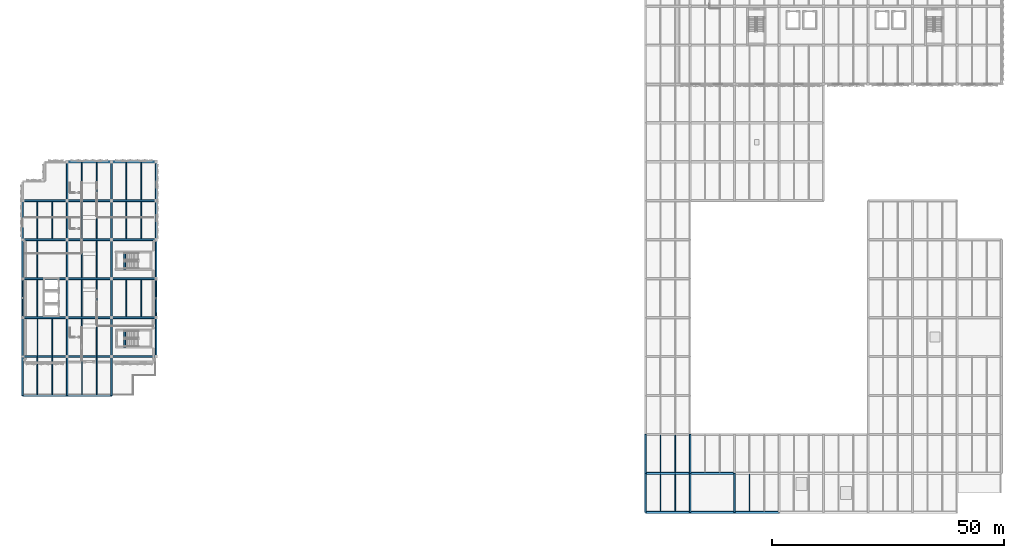
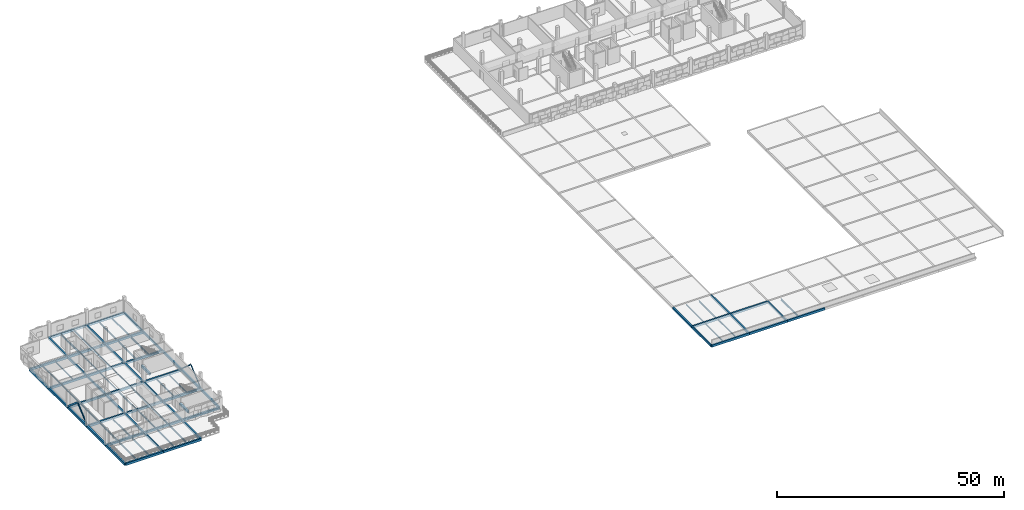
# One storey, part 3 of 24: 84 beams, 4 members.
"""IFC4 building model written with IfcOpenShell, lengths in metres."""

from ifc_helpers import new_model, si_unit, direction, frame, origin, origin_2d, place, context, subcontext, project, spatial, rectangle, hollow_rectangle, i_section, extrude, material, material_profile, profile_set, type_object, element, save


model = new_model("IFC4")

# Units and contexts
model_context = context("Model", 3, precision=1e-05, world=origin(), true_north=direction((0.0, 1.0)))
body_context = subcontext(model_context, "Body", "Model", "MODEL_VIEW")
ifc_project = project(units=[si_unit("LENGTHUNIT", "METRE"), si_unit("AREAUNIT", "SQUARE_METRE"), si_unit("VOLUMEUNIT", "CUBIC_METRE"), si_unit("PLANEANGLEUNIT", "RADIAN"), si_unit("MASSUNIT", "GRAM", prefix="KILO")], contexts=[model_context])

# Site, building, storey
site_placement = place(None, origin())
site = spatial("IfcSite", under=ifc_project, at=site_placement, CompositionType="ELEMENT")
building_placement = place(site_placement, origin())
building = spatial("IfcBuilding", under=site, at=building_placement, Name="Oolite Switchyard Hospital", CompositionType="ELEMENT")
storey_placement = place(building_placement, frame((0.0, 0.0, 22.0)))
storey = spatial("IfcBuildingStorey", under=building, at=storey_placement, Name="L05", CompositionType="ELEMENT", Elevation=22.0)

# Beams
ifc_material_1 = material(Name="Concrete C40/50", Category="concrete")
ifc_material_profile_1 = material_profile(ifc_material_1, rectangle(XDim=0.35009765625, YDim=0.550048828125, at=origin_2d()), Name="RCB350X550")
ifc_profile_set_1 = profile_set([ifc_material_profile_1], Name="Concrete C40/50")
beam_type_1 = type_object("IfcBeamType", Name="BM-RC350X550", PredefinedType="BEAM", material=ifc_profile_set_1)
for number, where, z_axis, x_axis, name in (
    (1, (9.60009765625, 33.60009765625, -0.27490234375), (0.0, 1.0, 0.0), (-1.0, 0.0, 0.0), "L05 Y-Girder 3451"),
    (2, (9.60009765625, 42.0, -0.27490234375), (0.0, 1.0, 0.0), (-1.0, 0.0, 0.0), "L05 Y-Girder 3452"),
):
    element("IfcBeam", number, at=place(storey_placement, frame(where, z_axis=z_axis, x_axis=x_axis)), inside=storey, type_object=beam_type_1, Name=name, PredefinedType="BEAM", context=body_context, shape_type="SweptSolid", body=[
        extrude(rectangle(XDim=0.35009765625, YDim=0.550048828125, at=origin_2d()), origin(), (0.0, 0.0, 1.0), 8.39990234375),
    ])
beam_1_placement = place(storey_placement, frame((9.60009765625, 50.39990234375, -0.27490234375), z_axis=(0.0, 1.0, 0.0), x_axis=(-1.0, 0.0, 0.0)))
element("IfcBeam", 3, at=beam_1_placement, inside=storey, type_object=beam_type_1, Name="L05 Y-Girder 3453", PredefinedType="BEAM", context=body_context, shape_type="SweptSolid", body=[
    extrude(rectangle(XDim=0.35009765625, YDim=0.550048828125, at=origin_2d()), origin(), (0.0, 0.0, 1.0), 8.400146484375),
])
beam_2_placement = place(storey_placement, frame((9.60009765625, 58.800048828125, -0.27490234375), z_axis=(0.0, 1.0, 0.0), x_axis=(-1.0, 0.0, 0.0)))
element("IfcBeam", 4, at=beam_2_placement, inside=storey, type_object=beam_type_1, Name="L05 Y-Girder 3454", PredefinedType="BEAM", context=body_context, shape_type="SweptSolid", body=[
    extrude(rectangle(XDim=0.35009765625, YDim=0.550048828125, at=origin_2d()), origin(), (0.0, 0.0, 1.0), 8.39990234375),
])
beam_3_placement = place(storey_placement, frame((9.60009765625, 67.199951171875, -0.27490234375), z_axis=(0.0, 1.0, 0.0), x_axis=(-1.0, 0.0, 0.0)))
element("IfcBeam", 5, at=beam_3_placement, inside=storey, type_object=beam_type_1, Name="L05 Y-Girder 3455", PredefinedType="BEAM", context=body_context, shape_type="SweptSolid", body=[
    extrude(rectangle(XDim=0.35009765625, YDim=0.550048828125, at=origin_2d()), origin(), (0.0, 0.0, 1.0), 8.400146484375),
])
for number, where, z_axis, x_axis, name in (
    (6, (9.60009765625, 75.60009765625, -0.27490234375), (0.0, 1.0, 0.0), (-1.0, 0.0, 0.0), "L05 Y-Girder 3456"),
    (7, (19.199951171875, 33.60009765625, -0.27490234375), (0.0, 1.0, 0.0), (-1.0, 0.0, 0.0), "L05 Y-Girder 3457"),
    (8, (19.199951171875, 42.0, -0.27490234375), (0.0, 1.0, 0.0), (-1.0, 0.0, 0.0), "L05 Y-Girder 3458"),
):
    element("IfcBeam", number, at=place(storey_placement, frame(where, z_axis=z_axis, x_axis=x_axis)), inside=storey, type_object=beam_type_1, Name=name, PredefinedType="BEAM", context=body_context, shape_type="SweptSolid", body=[
        extrude(rectangle(XDim=0.35009765625, YDim=0.550048828125, at=origin_2d()), origin(), (0.0, 0.0, 1.0), 8.39990234375),
    ])
beam_4_placement = place(storey_placement, frame((19.199951171875, 50.39990234375, -0.27490234375), z_axis=(0.0, 1.0, 0.0), x_axis=(-1.0, 0.0, 0.0)))
element("IfcBeam", 9, at=beam_4_placement, inside=storey, type_object=beam_type_1, Name="L05 Y-Girder 3459", PredefinedType="BEAM", context=body_context, shape_type="SweptSolid", body=[
    extrude(rectangle(XDim=0.35009765625, YDim=0.550048828125, at=origin_2d()), origin(), (0.0, 0.0, 1.0), 8.400146484375),
])
beam_5_placement = place(storey_placement, frame((19.199951171875, 58.800048828125, -0.27490234375), z_axis=(0.0, 1.0, 0.0), x_axis=(-1.0, 0.0, 0.0)))
element("IfcBeam", 10, at=beam_5_placement, inside=storey, type_object=beam_type_1, Name="L05 Y-Girder 3460", PredefinedType="BEAM", context=body_context, shape_type="SweptSolid", body=[
    extrude(rectangle(XDim=0.35009765625, YDim=0.550048828125, at=origin_2d()), origin(), (0.0, 0.0, 1.0), 8.39990234375),
])
beam_6_placement = place(storey_placement, frame((19.199951171875, 67.199951171875, -0.27490234375), z_axis=(0.0, 1.0, 0.0), x_axis=(-1.0, 0.0, 0.0)))
element("IfcBeam", 11, at=beam_6_placement, inside=storey, type_object=beam_type_1, Name="L05 Y-Girder 3461", PredefinedType="BEAM", context=body_context, shape_type="SweptSolid", body=[
    extrude(rectangle(XDim=0.35009765625, YDim=0.550048828125, at=origin_2d()), origin(), (0.0, 0.0, 1.0), 8.400146484375),
])
for number, where, z_axis, x_axis, name in (
    (12, (19.199951171875, 75.60009765625, -0.27490234375), (0.0, 1.0, 0.0), (-1.0, 0.0, 0.0), "L05 Y-Girder 3462"),
    (13, (28.800048828125, 42.0, -0.27490234375), (0.0, 1.0, 0.0), (-1.0, 0.0, 0.0), "L05 Y-Girder 3463"),
):
    element("IfcBeam", number, at=place(storey_placement, frame(where, z_axis=z_axis, x_axis=x_axis)), inside=storey, type_object=beam_type_1, Name=name, PredefinedType="BEAM", context=body_context, shape_type="SweptSolid", body=[
        extrude(rectangle(XDim=0.35009765625, YDim=0.550048828125, at=origin_2d()), origin(), (0.0, 0.0, 1.0), 8.39990234375),
    ])
beam_7_placement = place(storey_placement, frame((28.800048828125, 50.39990234375, -0.27490234375), z_axis=(0.0, 1.0, 0.0), x_axis=(-1.0, 0.0, 0.0)))
element("IfcBeam", 14, at=beam_7_placement, inside=storey, type_object=beam_type_1, Name="L05 Y-Girder 3464", PredefinedType="BEAM", context=body_context, shape_type="SweptSolid", body=[
    extrude(rectangle(XDim=0.35009765625, YDim=0.550048828125, at=origin_2d()), origin(), (0.0, 0.0, 1.0), 8.400146484375),
])
beam_8_placement = place(storey_placement, frame((28.800048828125, 58.800048828125, -0.27490234375), z_axis=(0.0, 1.0, 0.0), x_axis=(-1.0, 0.0, 0.0)))
element("IfcBeam", 15, at=beam_8_placement, inside=storey, type_object=beam_type_1, Name="L05 Y-Girder 3465", PredefinedType="BEAM", context=body_context, shape_type="SweptSolid", body=[
    extrude(rectangle(XDim=0.35009765625, YDim=0.550048828125, at=origin_2d()), origin(), (0.0, 0.0, 1.0), 8.39990234375),
])
beam_9_placement = place(storey_placement, frame((28.800048828125, 67.199951171875, -0.27490234375), z_axis=(0.0, 1.0, 0.0), x_axis=(-1.0, 0.0, 0.0)))
element("IfcBeam", 16, at=beam_9_placement, inside=storey, type_object=beam_type_1, Name="L05 Y-Girder 3466", PredefinedType="BEAM", context=body_context, shape_type="SweptSolid", body=[
    extrude(rectangle(XDim=0.35009765625, YDim=0.550048828125, at=origin_2d()), origin(), (0.0, 0.0, 1.0), 8.400146484375),
])
beam_10_placement = place(storey_placement, frame((28.800048828125, 75.60009765625, -0.27490234375), z_axis=(0.0, 1.0, 0.0), x_axis=(-1.0, 0.0, 0.0)))
element("IfcBeam", 17, at=beam_10_placement, inside=storey, type_object=beam_type_1, Name="L05 Y-Girder 3467", PredefinedType="BEAM", context=body_context, shape_type="SweptSolid", body=[
    extrude(rectangle(XDim=0.35009765625, YDim=0.550048828125, at=origin_2d()), origin(), (0.0, 0.0, 1.0), 8.39990234375),
])
beam_11_placement = place(storey_placement, frame((134.39990234375, 8.39990234375, -0.27490234375), z_axis=(0.0, 1.0, 0.0), x_axis=(-1.0, 0.0, 0.0)))
element("IfcBeam", 18, at=beam_11_placement, inside=storey, type_object=beam_type_1, Name="L05 Y-Girder 3468", PredefinedType="BEAM", context=body_context, shape_type="SweptSolid", body=[
    extrude(rectangle(XDim=0.35009765625, YDim=0.550048828125, at=origin_2d()), origin(), (0.0, 0.0, 1.0), 8.400146484375),
])
beam_12_placement = place(storey_placement, frame((134.39990234375, 16.800048828125, -0.27490234375), z_axis=(0.0, 1.0, 0.0), x_axis=(-1.0, 0.0, 0.0)))
element("IfcBeam", 19, at=beam_12_placement, inside=storey, type_object=beam_type_1, Name="L05 Y-Girder 3469", PredefinedType="BEAM", context=body_context, shape_type="SweptSolid", body=[
    extrude(rectangle(XDim=0.35009765625, YDim=0.550048828125, at=origin_2d()), origin(), (0.0, 0.0, 1.0), 8.39990234375),
])
beam_13_placement = place(storey_placement, frame((144.0, 8.39990234375, -0.27490234375), z_axis=(0.0, 1.0, 0.0), x_axis=(-1.0, 0.0, 0.0)))
element("IfcBeam", 20, at=beam_13_placement, inside=storey, type_object=beam_type_1, Name="L05 Y-Girder 3483", PredefinedType="BEAM", context=body_context, shape_type="SweptSolid", body=[
    extrude(rectangle(XDim=0.35009765625, YDim=0.550048828125, at=origin_2d()), origin(), (0.0, 0.0, 1.0), 8.400146484375),
])
beam_14_placement = place(storey_placement, frame((144.0, 16.800048828125, -0.27490234375), z_axis=(0.0, 1.0, 0.0), x_axis=(-1.0, 0.0, 0.0)))
element("IfcBeam", 21, at=beam_14_placement, inside=storey, type_object=beam_type_1, Name="L05 Y-Girder 3484", PredefinedType="BEAM", context=body_context, shape_type="SweptSolid", body=[
    extrude(rectangle(XDim=0.35009765625, YDim=0.550048828125, at=origin_2d()), origin(), (0.0, 0.0, 1.0), 8.39990234375),
])
beam_15_placement = place(storey_placement, frame((153.60009765625, 8.39990234375, -0.27490234375), z_axis=(0.0, 1.0, 0.0), x_axis=(-1.0, 0.0, 0.0)))
element("IfcBeam", 22, at=beam_15_placement, inside=storey, type_object=beam_type_1, Name="L05 Y-Girder 3498", PredefinedType="BEAM", context=body_context, shape_type="SweptSolid", body=[
    extrude(rectangle(XDim=0.35009765625, YDim=0.550048828125, at=origin_2d()), origin(), (0.0, 0.0, 1.0), 8.400146484375),
])
ifc_material_profile_2 = material_profile(ifc_material_1, rectangle(XDim=0.39990234375, YDim=0.60009765625, at=origin_2d()), Name="RCB400X600")
ifc_profile_set_2 = profile_set([ifc_material_profile_2], Name="Concrete C40/50")
beam_type_2 = type_object("IfcBeamType", Name="BM-RC400X600", PredefinedType="BEAM", material=ifc_profile_set_2)
for number, where, z_axis, x_axis, name in (
    (23, (134.39990234375, 8.39990234375, -0.300048828125), (1.0, 0.0, 0.0), (0.0, 1.0, 0.0), "L05 X-Girder 3331"),
    (24, (144.0, 8.39990234375, -0.300048828125), (1.0, 0.0, 0.0), (0.0, 1.0, 0.0), "L05 X-Girder 3332"),
):
    element("IfcBeam", number, at=place(storey_placement, frame(where, z_axis=z_axis, x_axis=x_axis)), inside=storey, type_object=beam_type_2, Name=name, PredefinedType="BEAM", context=body_context, shape_type="SweptSolid", body=[
        extrude(rectangle(XDim=0.39990234375, YDim=0.60009765625, at=origin_2d()), origin(), (0.0, 0.0, 1.0), 9.60009765625),
    ])
beam_16_placement = place(storey_placement, frame((153.60009765625, 8.39990234375, -0.300048828125), z_axis=(1.0, 0.0, 0.0), x_axis=(0.0, 1.0, 0.0)))
element("IfcBeam", 25, at=beam_16_placement, inside=storey, type_object=beam_type_2, Name="L05 X-Girder 3333", PredefinedType="BEAM", context=body_context, shape_type="SweptSolid", body=[
    extrude(rectangle(XDim=0.39990234375, YDim=0.60009765625, at=origin_2d()), origin(), (0.0, 0.0, 1.0), 9.599853515625),
])
for number, where, z_axis, x_axis, name in (
    (26, (134.39990234375, 16.800048828125, -0.300048828125), (1.0, 0.0, 0.0), (0.0, 1.0, 0.0), "L05 X-Girder 3338"),
    (27, (144.0, 16.800048828125, -0.300048828125), (1.0, 0.0, 0.0), (0.0, 1.0, 0.0), "L05 X-Girder 3339"),
    (28, (0.0, 33.60009765625, -0.300048828125), (1.0, 0.0, 0.0), (0.0, 1.0, 0.0), "L05 X-Girder 3354"),
):
    element("IfcBeam", number, at=place(storey_placement, frame(where, z_axis=z_axis, x_axis=x_axis)), inside=storey, type_object=beam_type_2, Name=name, PredefinedType="BEAM", context=body_context, shape_type="SweptSolid", body=[
        extrude(rectangle(XDim=0.39990234375, YDim=0.60009765625, at=origin_2d()), origin(), (0.0, 0.0, 1.0), 9.60009765625),
    ])
beam_17_placement = place(storey_placement, frame((9.60009765625, 33.60009765625, -0.300048828125), z_axis=(1.0, 0.0, 0.0), x_axis=(0.0, 1.0, 0.0)))
element("IfcBeam", 29, at=beam_17_placement, inside=storey, type_object=beam_type_2, Name="L05 X-Girder 3355", PredefinedType="BEAM", context=body_context, shape_type="SweptSolid", body=[
    extrude(rectangle(XDim=0.39990234375, YDim=0.60009765625, at=origin_2d()), origin(), (0.0, 0.0, 1.0), 9.599853515625),
])
beam_18_placement = place(storey_placement, frame((0.0, 42.0, -0.300048828125), z_axis=(1.0, 0.0, 0.0), x_axis=(0.0, 1.0, 0.0)))
element("IfcBeam", 30, at=beam_18_placement, inside=storey, type_object=beam_type_2, Name="L05 X-Girder 3360", PredefinedType="BEAM", context=body_context, shape_type="SweptSolid", body=[
    extrude(rectangle(XDim=0.39990234375, YDim=0.60009765625, at=origin_2d()), origin(), (0.0, 0.0, 1.0), 9.60009765625),
])
beam_19_placement = place(storey_placement, frame((9.60009765625, 42.0, -0.300048828125), z_axis=(1.0, 0.0, 0.0), x_axis=(0.0, 1.0, 0.0)))
element("IfcBeam", 31, at=beam_19_placement, inside=storey, type_object=beam_type_2, Name="L05 X-Girder 3361", PredefinedType="BEAM", context=body_context, shape_type="SweptSolid", body=[
    extrude(rectangle(XDim=0.39990234375, YDim=0.60009765625, at=origin_2d()), origin(), (0.0, 0.0, 1.0), 9.599853515625),
])
for number, where, z_axis, x_axis, name in (
    (32, (19.199951171875, 42.0, -0.300048828125), (1.0, 0.0, 0.0), (0.0, 1.0, 0.0), "L05 X-Girder 3362"),
    (33, (0.0, 50.39990234375, -0.300048828125), (1.0, 0.0, 0.0), (0.0, 1.0, 0.0), "L05 X-Girder 3367"),
):
    element("IfcBeam", number, at=place(storey_placement, frame(where, z_axis=z_axis, x_axis=x_axis)), inside=storey, type_object=beam_type_2, Name=name, PredefinedType="BEAM", context=body_context, shape_type="SweptSolid", body=[
        extrude(rectangle(XDim=0.39990234375, YDim=0.60009765625, at=origin_2d()), origin(), (0.0, 0.0, 1.0), 9.60009765625),
    ])
beam_20_placement = place(storey_placement, frame((9.60009765625, 50.39990234375, -0.300048828125), z_axis=(1.0, 0.0, 0.0), x_axis=(0.0, 1.0, 0.0)))
element("IfcBeam", 34, at=beam_20_placement, inside=storey, type_object=beam_type_2, Name="L05 X-Girder 3368", PredefinedType="BEAM", context=body_context, shape_type="SweptSolid", body=[
    extrude(rectangle(XDim=0.39990234375, YDim=0.60009765625, at=origin_2d()), origin(), (0.0, 0.0, 1.0), 9.599853515625),
])
for number, where, z_axis, x_axis, name in (
    (35, (19.199951171875, 50.39990234375, -0.300048828125), (1.0, 0.0, 0.0), (0.0, 1.0, 0.0), "L05 X-Girder 3369"),
    (36, (0.0, 58.800048828125, -0.300048828125), (1.0, 0.0, 0.0), (0.0, 1.0, 0.0), "L05 X-Girder 3374"),
):
    element("IfcBeam", number, at=place(storey_placement, frame(where, z_axis=z_axis, x_axis=x_axis)), inside=storey, type_object=beam_type_2, Name=name, PredefinedType="BEAM", context=body_context, shape_type="SweptSolid", body=[
        extrude(rectangle(XDim=0.39990234375, YDim=0.60009765625, at=origin_2d()), origin(), (0.0, 0.0, 1.0), 9.60009765625),
    ])
beam_21_placement = place(storey_placement, frame((9.60009765625, 58.800048828125, -0.300048828125), z_axis=(1.0, 0.0, 0.0), x_axis=(0.0, 1.0, 0.0)))
element("IfcBeam", 37, at=beam_21_placement, inside=storey, type_object=beam_type_2, Name="L05 X-Girder 3375", PredefinedType="BEAM", context=body_context, shape_type="SweptSolid", body=[
    extrude(rectangle(XDim=0.39990234375, YDim=0.60009765625, at=origin_2d()), origin(), (0.0, 0.0, 1.0), 9.599853515625),
])
for number, where, z_axis, x_axis, name in (
    (38, (19.199951171875, 58.800048828125, -0.300048828125), (1.0, 0.0, 0.0), (0.0, 1.0, 0.0), "L05 X-Girder 3376"),
    (39, (0.0, 67.199951171875, -0.300048828125), (1.0, 0.0, 0.0), (0.0, 1.0, 0.0), "L05 X-Girder 3381"),
):
    element("IfcBeam", number, at=place(storey_placement, frame(where, z_axis=z_axis, x_axis=x_axis)), inside=storey, type_object=beam_type_2, Name=name, PredefinedType="BEAM", context=body_context, shape_type="SweptSolid", body=[
        extrude(rectangle(XDim=0.39990234375, YDim=0.60009765625, at=origin_2d()), origin(), (0.0, 0.0, 1.0), 9.60009765625),
    ])
beam_22_placement = place(storey_placement, frame((9.60009765625, 67.199951171875, -0.300048828125), z_axis=(1.0, 0.0, 0.0), x_axis=(0.0, 1.0, 0.0)))
element("IfcBeam", 40, at=beam_22_placement, inside=storey, type_object=beam_type_2, Name="L05 X-Girder 3382", PredefinedType="BEAM", context=body_context, shape_type="SweptSolid", body=[
    extrude(rectangle(XDim=0.39990234375, YDim=0.60009765625, at=origin_2d()), origin(), (0.0, 0.0, 1.0), 9.599853515625),
])
for number, where, z_axis, x_axis, name in (
    (41, (19.199951171875, 67.199951171875, -0.300048828125), (1.0, 0.0, 0.0), (0.0, 1.0, 0.0), "L05 X-Girder 3383"),
    (42, (0.0, 75.60009765625, -0.300048828125), (1.0, 0.0, 0.0), (0.0, 1.0, 0.0), "L05 X-Girder 3388"),
):
    element("IfcBeam", number, at=place(storey_placement, frame(where, z_axis=z_axis, x_axis=x_axis)), inside=storey, type_object=beam_type_2, Name=name, PredefinedType="BEAM", context=body_context, shape_type="SweptSolid", body=[
        extrude(rectangle(XDim=0.39990234375, YDim=0.60009765625, at=origin_2d()), origin(), (0.0, 0.0, 1.0), 9.60009765625),
    ])
beam_23_placement = place(storey_placement, frame((9.60009765625, 75.60009765625, -0.300048828125), z_axis=(1.0, 0.0, 0.0), x_axis=(0.0, 1.0, 0.0)))
element("IfcBeam", 43, at=beam_23_placement, inside=storey, type_object=beam_type_2, Name="L05 X-Girder 3389", PredefinedType="BEAM", context=body_context, shape_type="SweptSolid", body=[
    extrude(rectangle(XDim=0.39990234375, YDim=0.60009765625, at=origin_2d()), origin(), (0.0, 0.0, 1.0), 9.599853515625),
])
beam_24_placement = place(storey_placement, frame((19.199951171875, 75.60009765625, -0.300048828125), z_axis=(1.0, 0.0, 0.0), x_axis=(0.0, 1.0, 0.0)))
element("IfcBeam", 44, at=beam_24_placement, inside=storey, type_object=beam_type_2, Name="L05 X-Girder 3390", PredefinedType="BEAM", context=body_context, shape_type="SweptSolid", body=[
    extrude(rectangle(XDim=0.39990234375, YDim=0.60009765625, at=origin_2d()), origin(), (0.0, 0.0, 1.0), 9.60009765625),
])
beam_25_placement = place(storey_placement, frame((9.60009765625, 84.0, -0.300048828125), z_axis=(1.0, 0.0, 0.0), x_axis=(0.0, 1.0, 0.0)))
element("IfcBeam", 45, at=beam_25_placement, inside=storey, type_object=beam_type_2, Name="L05 X-Girder 3397", PredefinedType="BEAM", context=body_context, shape_type="SweptSolid", body=[
    extrude(rectangle(XDim=0.39990234375, YDim=0.60009765625, at=origin_2d()), origin(), (0.0, 0.0, 1.0), 9.599853515625),
])
beam_26_placement = place(storey_placement, frame((19.199951171875, 84.0, -0.300048828125), z_axis=(1.0, 0.0, 0.0), x_axis=(0.0, 1.0, 0.0)))
element("IfcBeam", 46, at=beam_26_placement, inside=storey, type_object=beam_type_2, Name="L05 X-Girder 3398", PredefinedType="BEAM", context=body_context, shape_type="SweptSolid", body=[
    extrude(rectangle(XDim=0.39990234375, YDim=0.60009765625, at=origin_2d()), origin(), (0.0, 0.0, 1.0), 9.60009765625),
])
for number, where, z_axis, x_axis, name in (
    (47, (0.0, 33.60009765625, -0.300048828125), (0.0, 1.0, 0.0), (-1.0, 0.0, 0.0), "L05 Y-Girder 3446"),
    (48, (0.0, 42.0, -0.300048828125), (0.0, 1.0, 0.0), (-1.0, 0.0, 0.0), "L05 Y-Girder 3447"),
):
    element("IfcBeam", number, at=place(storey_placement, frame(where, z_axis=z_axis, x_axis=x_axis)), inside=storey, type_object=beam_type_2, Name=name, PredefinedType="BEAM", context=body_context, shape_type="SweptSolid", body=[
        extrude(rectangle(XDim=0.39990234375, YDim=0.60009765625, at=origin_2d()), origin(), (0.0, 0.0, 1.0), 8.39990234375),
    ])
beam_27_placement = place(storey_placement, frame((0.0, 50.39990234375, -0.300048828125), z_axis=(0.0, 1.0, 0.0), x_axis=(-1.0, 0.0, 0.0)))
element("IfcBeam", 49, at=beam_27_placement, inside=storey, type_object=beam_type_2, Name="L05 Y-Girder 3448", PredefinedType="BEAM", context=body_context, shape_type="SweptSolid", body=[
    extrude(rectangle(XDim=0.39990234375, YDim=0.60009765625, at=origin_2d()), origin(), (0.0, 0.0, 1.0), 8.400146484375),
])
beam_28_placement = place(storey_placement, frame((0.0, 58.800048828125, -0.300048828125), z_axis=(0.0, 1.0, 0.0), x_axis=(-1.0, 0.0, 0.0)))
element("IfcBeam", 50, at=beam_28_placement, inside=storey, type_object=beam_type_2, Name="L05 Y-Girder 3449", PredefinedType="BEAM", context=body_context, shape_type="SweptSolid", body=[
    extrude(rectangle(XDim=0.39990234375, YDim=0.60009765625, at=origin_2d()), origin(), (0.0, 0.0, 1.0), 8.39990234375),
])
beam_29_placement = place(storey_placement, frame((0.0, 67.199951171875, -0.300048828125), z_axis=(0.0, 1.0, 0.0), x_axis=(-1.0, 0.0, 0.0)))
element("IfcBeam", 51, at=beam_29_placement, inside=storey, type_object=beam_type_2, Name="L05 Y-Girder 3450", PredefinedType="BEAM", context=body_context, shape_type="SweptSolid", body=[
    extrude(rectangle(XDim=0.39990234375, YDim=0.60009765625, at=origin_2d()), origin(), (0.0, 0.0, 1.0), 8.400146484375),
])
beam_30_placement = place(storey_placement, frame((22.0400390625, 44.050048828125, -0.300048828125), z_axis=(0.0, 1.0, 0.0), x_axis=(-1.0, 0.0, 0.0)))
element("IfcBeam", 52, at=beam_30_placement, inside=storey, type_object=beam_type_2, Name="L05 ST-01 Stair Throat Trimmer Beam", PredefinedType="BEAM", context=body_context, shape_type="SweptSolid", body=[
    extrude(rectangle(XDim=0.39990234375, YDim=0.60009765625, at=origin_2d()), origin(), (0.0, 0.0, 1.0), 3.659912109375),
])
beam_31_placement = place(storey_placement, frame((22.0400390625, 60.824951171875, -0.300048828125), z_axis=(0.0, 1.0, 0.0), x_axis=(-1.0, 0.0, 0.0)))
element("IfcBeam", 53, at=beam_31_placement, inside=storey, type_object=beam_type_2, Name="L05 ST-02 Stair Throat Trimmer Beam", PredefinedType="BEAM", context=body_context, shape_type="SweptSolid", body=[
    extrude(rectangle(XDim=0.39990234375, YDim=0.60009765625, at=origin_2d()), origin(), (0.0, 0.0, 1.0), 3.7099609375),
])
ifc_material_2 = material(Name="Steel ASTM A992 Grade 50", Category="steel")
ifc_material_profile_3 = material_profile(ifc_material_2, i_section(OverallWidth=0.1650390625, OverallDepth=0.31005859375, WebThickness=0.006103515625, FlangeThickness=0.010009765625, at=origin_2d()), Name="W12X26")
ifc_profile_set_3 = profile_set([ifc_material_profile_3], Name="Steel ASTM A992 Grade 50")
beam_type_3 = type_object("IfcBeamType", Name="BM-W12X26", PredefinedType="JOIST", material=ifc_profile_set_3)
for number, where, z_axis, x_axis, name in (
    (54, (6.39990234375, 67.39990234375, -0.429931640625), (0.0, 1.0, 0.0), (-1.0, 0.0, 0.0), "L05 Secondary Steel Joist 3578"),
    (55, (16.0, 59.0, -0.429931640625), (0.0, 1.0, 0.0), (-1.0, 0.0, 0.0), "L05 Secondary Steel Joist 3586"),
    (56, (12.800048828125, 67.39990234375, -0.429931640625), (0.0, 1.0, 0.0), (-1.0, 0.0, 0.0), "L05 Secondary Steel Joist 3587"),
    (57, (25.60009765625, 50.60009765625, -0.429931640625), (0.0, 1.0, 0.0), (-1.0, 0.0, 0.0), "L05 Secondary Steel Joist 3592"),
    (58, (140.800048828125, 8.60009765625, -0.389892578125), (0.0, 1.0, 0.0), (-1.0, 0.0, 0.0), "L05 Secondary Steel Joist 3598"),
    (59, (137.60009765625, 17.0, -0.389892578125), (0.0, 1.0, 0.0), (-1.0, 0.0, 0.0), "L05 Secondary Steel Joist 3599"),
):
    element("IfcBeam", number, at=place(storey_placement, frame(where, z_axis=z_axis, x_axis=x_axis)), inside=storey, type_object=beam_type_3, Name=name, PredefinedType="JOIST", context=body_context, shape_type="SweptSolid", body=[
        extrude(i_section(OverallWidth=0.1650390625, OverallDepth=0.31005859375, WebThickness=0.006103515625, FlangeThickness=0.010009765625, at=origin_2d()), origin(), (0.0, 0.0, 1.0), 8.0),
    ])
ifc_material_profile_4 = material_profile(ifc_material_2, i_section(OverallWidth=0.1708984375, OverallDepth=0.35107421875, WebThickness=0.007080078125, FlangeThickness=0.010009765625, at=origin_2d()), Name="W14X30")
ifc_profile_set_4 = profile_set([ifc_material_profile_4], Name="Steel ASTM A992 Grade 50")
beam_type_4 = type_object("IfcBeamType", Name="BM-W14X30", PredefinedType="JOIST", material=ifc_profile_set_4)
for number, where, z_axis, x_axis, name in (
    (60, (3.199951171875, 67.39990234375, -0.449951171875), (0.0, 1.0, 0.0), (-1.0, 0.0, 0.0), "L05 Secondary Steel Joist 3577"),
    (61, (16.0, 50.60009765625, -0.449951171875), (0.0, 1.0, 0.0), (-1.0, 0.0, 0.0), "L05 Secondary Steel Joist 3584"),
    (62, (12.800048828125, 59.0, -0.449951171875), (0.0, 1.0, 0.0), (-1.0, 0.0, 0.0), "L05 Secondary Steel Joist 3585"),
    (63, (22.39990234375, 50.60009765625, -0.449951171875), (0.0, 1.0, 0.0), (-1.0, 0.0, 0.0), "L05 Secondary Steel Joist 3591"),
    (64, (137.60009765625, 8.60009765625, -0.409912109375), (0.0, 1.0, 0.0), (-1.0, 0.0, 0.0), "L05 Secondary Steel Joist 3597"),
):
    element("IfcBeam", number, at=place(storey_placement, frame(where, z_axis=z_axis, x_axis=x_axis)), inside=storey, type_object=beam_type_4, Name=name, PredefinedType="JOIST", context=body_context, shape_type="SweptSolid", body=[
        extrude(i_section(OverallWidth=0.1708984375, OverallDepth=0.35107421875, WebThickness=0.007080078125, FlangeThickness=0.010009765625, at=origin_2d()), origin(), (0.0, 0.0, 1.0), 8.0),
    ])
ifc_material_profile_5 = material_profile(ifc_material_2, i_section(OverallWidth=0.177978515625, OverallDepth=0.403076171875, WebThickness=0.008056640625, FlangeThickness=0.010986328125, at=origin_2d()), Name="W16X36")
ifc_profile_set_5 = profile_set([ifc_material_profile_5], Name="Steel ASTM A992 Grade 50")
beam_type_5 = type_object("IfcBeamType", Name="BM-W16X36", PredefinedType="JOIST", material=ifc_profile_set_5)
for number, where, z_axis, x_axis, name in (
    (65, (3.199951171875, 59.0, -0.47607421875), (0.0, 1.0, 0.0), (-1.0, 0.0, 0.0), "L05 Secondary Steel Joist 3576"),
    (66, (16.0, 42.199951171875, -0.47607421875), (0.0, 1.0, 0.0), (-1.0, 0.0, 0.0), "L05 Secondary Steel Joist 3582"),
    (67, (12.800048828125, 50.60009765625, -0.47607421875), (0.0, 1.0, 0.0), (-1.0, 0.0, 0.0), "L05 Secondary Steel Joist 3583"),
):
    element("IfcBeam", number, at=place(storey_placement, frame(where, z_axis=z_axis, x_axis=x_axis)), inside=storey, type_object=beam_type_5, Name=name, PredefinedType="JOIST", context=body_context, shape_type="SweptSolid", body=[
        extrude(i_section(OverallWidth=0.177978515625, OverallDepth=0.403076171875, WebThickness=0.008056640625, FlangeThickness=0.010986328125, at=origin_2d()), origin(), (0.0, 0.0, 1.0), 8.0),
    ])
ifc_material_profile_6 = material_profile(ifc_material_2, i_section(OverallWidth=0.179931640625, OverallDepth=0.4130859375, WebThickness=0.010009765625, FlangeThickness=0.01611328125, at=origin_2d()), Name="W16X50")
ifc_profile_set_6 = profile_set([ifc_material_profile_6], Name="Steel ASTM A992 Grade 50")
beam_type_6 = type_object("IfcBeamType", Name="BM-W16X50", PredefinedType="JOIST", material=ifc_profile_set_6)
for number, where, z_axis, x_axis, name in (
    (68, (6.39990234375, 42.199951171875, -0.48095703125), (0.0, 1.0, 0.0), (-1.0, 0.0, 0.0), "L05 Secondary Steel Joist 3574"),
    (69, (3.199951171875, 50.60009765625, -0.48095703125), (0.0, 1.0, 0.0), (-1.0, 0.0, 0.0), "L05 Secondary Steel Joist 3575"),
    (70, (16.0, 33.800048828125, -0.48095703125), (0.0, 1.0, 0.0), (-1.0, 0.0, 0.0), "L05 Secondary Steel Joist 3580"),
    (71, (12.800048828125, 42.199951171875, -0.48095703125), (0.0, 1.0, 0.0), (-1.0, 0.0, 0.0), "L05 Secondary Steel Joist 3581"),
):
    element("IfcBeam", number, at=place(storey_placement, frame(where, z_axis=z_axis, x_axis=x_axis)), inside=storey, type_object=beam_type_6, Name=name, PredefinedType="JOIST", context=body_context, shape_type="SweptSolid", body=[
        extrude(i_section(OverallWidth=0.179931640625, OverallDepth=0.4130859375, WebThickness=0.010009765625, FlangeThickness=0.01611328125, at=origin_2d()), origin(), (0.0, 0.0, 1.0), 8.0),
    ])
ifc_material_profile_7 = material_profile(ifc_material_2, i_section(OverallWidth=0.153076171875, OverallDepth=0.455078125, WebThickness=0.008056640625, FlangeThickness=0.012939453125, at=origin_2d()), Name="W18X40")
ifc_profile_set_7 = profile_set([ifc_material_profile_7], Name="Steel ASTM A992 Grade 50")
beam_type_7 = type_object("IfcBeamType", Name="BM-W18X40", PredefinedType="JOIST", material=ifc_profile_set_7)
for number, where, z_axis, x_axis, name in (
    (72, (6.39990234375, 33.800048828125, -0.501953125), (0.0, 1.0, 0.0), (-1.0, 0.0, 0.0), "L05 Secondary Steel Joist 3572"),
    (73, (3.199951171875, 42.199951171875, -0.501953125), (0.0, 1.0, 0.0), (-1.0, 0.0, 0.0), "L05 Secondary Steel Joist 3573"),
    (74, (12.800048828125, 33.800048828125, -0.501953125), (0.0, 1.0, 0.0), (-1.0, 0.0, 0.0), "L05 Secondary Steel Joist 3579"),
    (75, (25.60009765625, 75.800048828125, -0.501953125), (0.0, 1.0, 0.0), (-1.0, 0.0, 0.0), "L05 Secondary Steel Joist 3596"),
):
    element("IfcBeam", number, at=place(storey_placement, frame(where, z_axis=z_axis, x_axis=x_axis)), inside=storey, type_object=beam_type_7, Name=name, PredefinedType="JOIST", context=body_context, shape_type="SweptSolid", body=[
        extrude(i_section(OverallWidth=0.153076171875, OverallDepth=0.455078125, WebThickness=0.008056640625, FlangeThickness=0.012939453125, at=origin_2d()), origin(), (0.0, 0.0, 1.0), 8.0),
    ])
ifc_material_profile_8 = material_profile(ifc_material_2, i_section(OverallWidth=0.19091796875, OverallDepth=0.4599609375, WebThickness=0.010009765625, FlangeThickness=0.01611328125, at=origin_2d()), Name="W18X55")
ifc_profile_set_8 = profile_set([ifc_material_profile_8], Name="Steel ASTM A992 Grade 50")
beam_type_8 = type_object("IfcBeamType", Name="BM-W18X55", PredefinedType="JOIST", material=ifc_profile_set_8)
for number, where, z_axis, x_axis, name in (
    (76, (3.199951171875, 33.800048828125, -0.5048828125), (0.0, 1.0, 0.0), (-1.0, 0.0, 0.0), "L05 Secondary Steel Joist 3571"),
    (77, (16.0, 75.800048828125, -0.5048828125), (0.0, 1.0, 0.0), (-1.0, 0.0, 0.0), "L05 Secondary Steel Joist 3590"),
    (78, (25.60009765625, 67.39990234375, -0.5048828125), (0.0, 1.0, 0.0), (-1.0, 0.0, 0.0), "L05 Secondary Steel Joist 3594"),
    (79, (22.39990234375, 75.800048828125, -0.5048828125), (0.0, 1.0, 0.0), (-1.0, 0.0, 0.0), "L05 Secondary Steel Joist 3595"),
):
    element("IfcBeam", number, at=place(storey_placement, frame(where, z_axis=z_axis, x_axis=x_axis)), inside=storey, type_object=beam_type_8, Name=name, PredefinedType="JOIST", context=body_context, shape_type="SweptSolid", body=[
        extrude(i_section(OverallWidth=0.19091796875, OverallDepth=0.4599609375, WebThickness=0.010009765625, FlangeThickness=0.01611328125, at=origin_2d()), origin(), (0.0, 0.0, 1.0), 8.0),
    ])
ifc_material_profile_9 = material_profile(ifc_material_2, i_section(OverallWidth=0.166015625, OverallDepth=0.529052734375, WebThickness=0.010009765625, FlangeThickness=0.013916015625, at=origin_2d()), Name="W21X50")
ifc_profile_set_9 = profile_set([ifc_material_profile_9], Name="Steel ASTM A992 Grade 50")
beam_type_9 = type_object("IfcBeamType", Name="BM-W21X50", PredefinedType="JOIST", material=ifc_profile_set_9)
for number, where, z_axis, x_axis, name in (
    (80, (16.0, 67.39990234375, -0.5400390625), (0.0, 1.0, 0.0), (-1.0, 0.0, 0.0), "L05 Secondary Steel Joist 3588"),
    (81, (12.800048828125, 75.800048828125, -0.5400390625), (0.0, 1.0, 0.0), (-1.0, 0.0, 0.0), "L05 Secondary Steel Joist 3589"),
    (82, (22.39990234375, 67.39990234375, -0.5400390625), (0.0, 1.0, 0.0), (-1.0, 0.0, 0.0), "L05 Secondary Steel Joist 3593"),
    (83, (140.800048828125, 17.0, -0.5), (0.0, 1.0, 0.0), (-1.0, 0.0, 0.0), "L05 Secondary Steel Joist 3600"),
    (84, (156.800048828125, 8.60009765625, -0.5), (0.0, 1.0, 0.0), (-1.0, 0.0, 0.0), "L05 Secondary Steel Joist 3643"),
):
    element("IfcBeam", number, at=place(storey_placement, frame(where, z_axis=z_axis, x_axis=x_axis)), inside=storey, type_object=beam_type_9, Name=name, PredefinedType="JOIST", context=body_context, shape_type="SweptSolid", body=[
        extrude(i_section(OverallWidth=0.166015625, OverallDepth=0.529052734375, WebThickness=0.010009765625, FlangeThickness=0.013916015625, at=origin_2d()), origin(), (0.0, 0.0, 1.0), 8.0),
    ])

# Members
ifc_material_3 = material(Name="Steel ASTM A500 Grade C", Category="steel")
ifc_material_profile_10 = material_profile(ifc_material_3, hollow_rectangle(XDim=0.202880859375, YDim=0.202880859375, WallThickness=0.012939453125, at=origin_2d()), Name="HSS203X203X13")
ifc_profile_set_10 = profile_set([ifc_material_profile_10], Name="Steel ASTM A500 Grade C")
member_type_1 = type_object("IfcMemberType", Name="MEM-BR-HSS203", PredefinedType="BRACE", material=ifc_profile_set_10)
for number, where, z_axis, x_axis, name in (
    (85, (28.800048828125, 50.39990234375, 0.02001953125), (0.0, 0.756605415599, 0.65387173443), (-1.0, 0.0, 0.0), "L05 Chevron Brace 25"),
    (86, (28.800048828125, 58.800048828125, 0.02001953125), (0.0, -0.756586611747, 0.653893492034), (1.0, 0.0, 0.0), "L05 Chevron Brace 26"),
):
    element("IfcMember", number, at=place(storey_placement, frame(where, z_axis=z_axis, x_axis=x_axis)), inside=storey, type_object=member_type_1, Name=name, PredefinedType="BRACE", context=body_context, shape_type="SweptSolid", body=[
        extrude(hollow_rectangle(XDim=0.202880859375, YDim=0.202880859375, WallThickness=0.012939453125, at=origin_2d()), origin(), (0.0, 0.0, 1.0), 5.55126953125),
    ])
ifc_material_profile_11 = material_profile(ifc_material_3, hollow_rectangle(XDim=0.202880859375, YDim=0.406005859375, WallThickness=0.012939453125, at=origin_2d()), Name="HSS406X203X13")
ifc_profile_set_11 = profile_set([ifc_material_profile_11], Name="Steel ASTM A500 Grade C")
member_type_2 = type_object("IfcMemberType", Name="MEM-BR-RHS406", PredefinedType="BRACE", material=ifc_profile_set_11)
member_1_placement = place(storey_placement, frame((0.0, 50.39990234375, 0.02001953125), z_axis=(0.0, 0.761052324606, 0.6486904957), x_axis=(-1.0, 0.0, 0.0)))
element("IfcMember", 87, at=member_1_placement, inside=storey, type_object=member_type_2, Name="L05 Chevron Brace 11", PredefinedType="BRACE", context=body_context, shape_type="SweptSolid", body=[
    extrude(hollow_rectangle(XDim=0.202880859375, YDim=0.406005859375, WallThickness=0.012939453125, at=origin_2d()), origin(), (0.0, 0.0, 1.0), 5.51904296875),
])
member_2_placement = place(storey_placement, frame((0.0, 58.800048828125, 0.02001953125), z_axis=(0.0, -0.76103370879, 0.648712335389), x_axis=(1.0, 0.0, 0.0)))
element("IfcMember", 88, at=member_2_placement, inside=storey, type_object=member_type_2, Name="L05 Chevron Brace 12", PredefinedType="BRACE", context=body_context, shape_type="SweptSolid", body=[
    extrude(hollow_rectangle(XDim=0.202880859375, YDim=0.406005859375, WallThickness=0.012939453125, at=origin_2d()), origin(), (0.0, 0.0, 1.0), 5.518798828125),
])

save(model, "model.ifc")
